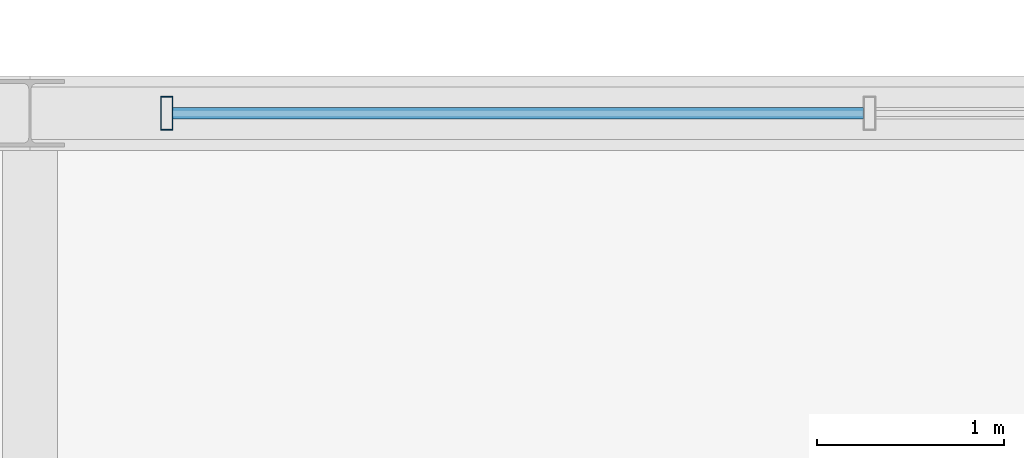
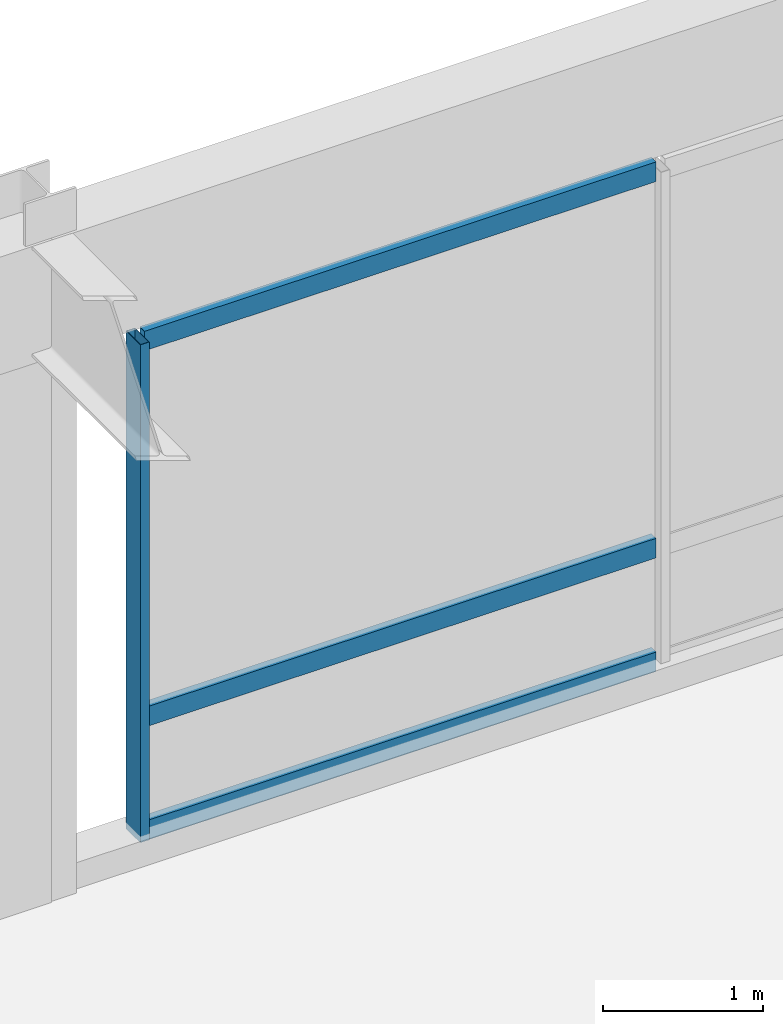
# One storey, part 70 of 100: 4 members, 1 element without a shape of its own.
"""IFC4 building model written with IfcOpenShell, lengths in metres."""

from ifc_helpers import new_model, si_unit, direction, frame, origin, origin_2d, place, context, subcontext, project, spatial, hollow_rectangle, extrude, material, material_profile, profile_set, type_object, element, aggregate, save


model = new_model("IFC4")

# Units and contexts
model_context = context("Model", 3, precision=1e-05, world=origin(), true_north=direction((0.0, 1.0)))
body_context = subcontext(model_context, "Body", "Model", "MODEL_VIEW")
ifc_project = project(units=[si_unit("LENGTHUNIT", "METRE"), si_unit("AREAUNIT", "SQUARE_METRE"), si_unit("VOLUMEUNIT", "CUBIC_METRE"), si_unit("PLANEANGLEUNIT", "RADIAN"), si_unit("MASSUNIT", "GRAM", prefix="KILO")], contexts=[model_context])

# Site, building, storey
site_placement = place(None, origin())
site = spatial("IfcSite", under=ifc_project, at=site_placement, CompositionType="ELEMENT")
building_placement = place(site_placement, origin())
building = spatial("IfcBuilding", under=site, at=building_placement, Name="Kaldorvane Square Convention Centre", CompositionType="ELEMENT")
storey_placement = place(building_placement, frame((0.0, 0.0, 18.0)))
storey = spatial("IfcBuildingStorey", under=building, at=storey_placement, Name="L03", CompositionType="ELEMENT", Elevation=18.0)

# Curtain wall, members
ifc_material = material(Name="Anodized Aluminum and Low-E Insulated Glazing", Category="aluminium")
curtain_wall_type = type_object("IfcCurtainWallType", Name="CW-UNI-P54-09", PredefinedType="USERDEFINED", material=ifc_material)
curtain_wall_placement = place(storey_placement, origin())
curtain_wall = element("IfcCurtainWall", 1, at=curtain_wall_placement, inside=storey, type_object=curtain_wall_type, Name="Curtain Wall CW-04 (L03)", ObjectType="UNITISED GLAZING", PredefinedType="USERDEFINED")
ifc_material_profile_1 = material_profile(ifc_material, hollow_rectangle(XDim=0.06500244140625, YDim=0.17999267578125, WallThickness=0.0034942626953125, at=origin_2d()), Name="CWM-180X65")
ifc_profile_set_1 = profile_set([ifc_material_profile_1], Name="Anodized Aluminum and Low-E Insulated Glazing")
member_type_1 = type_object("IfcMemberType", Name="CW-MUL-180", PredefinedType="MULLION", material=ifc_profile_set_1)
member_1_placement = place(storey_placement, frame((156.7324981689453, 117.0, 0.149993896484375), z_axis=(0.0, 0.0, 1.0), x_axis=(-1.0, 0.0, 0.0)))
member_1 = element("IfcMember", 2, at=member_1_placement, type_object=member_type_1, Name="CW-04 mullion 3", PredefinedType="MULLION", context=body_context, shape_type="SweptSolid", body=[
    extrude(hollow_rectangle(XDim=0.06500244140625, YDim=0.17999267578125, WallThickness=0.0034942626953125, at=origin_2d()), origin(), (0.0, 0.0, 1.0), 3.8100128173828125),
])
ifc_material_profile_2 = material_profile(ifc_material, hollow_rectangle(XDim=0.05999755859375, YDim=0.149993896484375, WallThickness=0.003204345703125, at=origin_2d()), Name="CWT-150X60")
ifc_profile_set_2 = profile_set([ifc_material_profile_2], Name="Anodized Aluminum and Low-E Insulated Glazing")
member_type_2 = type_object("IfcMemberType", Name="CW-TRN-150", PredefinedType="USERDEFINED", material=ifc_profile_set_2)
member_2_placement = place(storey_placement, frame((160.46749877929688, 117.0, 0.17999267578125), z_axis=(-1.0, 0.0, 0.0), x_axis=(0.0, -1.0, 0.0)))
member_2 = element("IfcMember", 3, at=member_2_placement, type_object=member_type_2, Name="CW-04 transom 2.1", ObjectType="TRANSOM", PredefinedType="USERDEFINED", context=body_context, shape_type="SweptSolid", body=[
    extrude(hollow_rectangle(XDim=0.05999755859375, YDim=0.149993896484375, WallThickness=0.003204345703125, at=origin_2d()), origin(), (0.0, 0.0, 1.0), 3.7024993896484375),
])
member_3_placement = place(storey_placement, frame((160.46749877929688, 117.0, 1.0500030517578125), z_axis=(-1.0, 0.0, 0.0), x_axis=(0.0, -1.0, 0.0)))
member_3 = element("IfcMember", 4, at=member_3_placement, type_object=member_type_2, Name="CW-04 transom 2.2", ObjectType="TRANSOM", PredefinedType="USERDEFINED", context=body_context, shape_type="SweptSolid", body=[
    extrude(hollow_rectangle(XDim=0.05999755859375, YDim=0.149993896484375, WallThickness=0.003204345703125, at=origin_2d()), origin(), (0.0, 0.0, 1.0), 3.7024993896484375),
])
member_4_placement = place(storey_placement, frame((160.46749877929688, 117.0, 3.92999267578125), z_axis=(-1.0, 0.0, 0.0), x_axis=(0.0, -1.0, 0.0)))
member_4 = element("IfcMember", 5, at=member_4_placement, type_object=member_type_2, Name="CW-04 transom 2.3", ObjectType="TRANSOM", PredefinedType="USERDEFINED", context=body_context, shape_type="SweptSolid", body=[
    extrude(hollow_rectangle(XDim=0.05999755859375, YDim=0.149993896484375, WallThickness=0.003204345703125, at=origin_2d()), origin(), (0.0, 0.0, 1.0), 3.7024993896484375),
])
aggregate(curtain_wall, [member_1, member_2, member_3, member_4])

save(model, "model.ifc")
